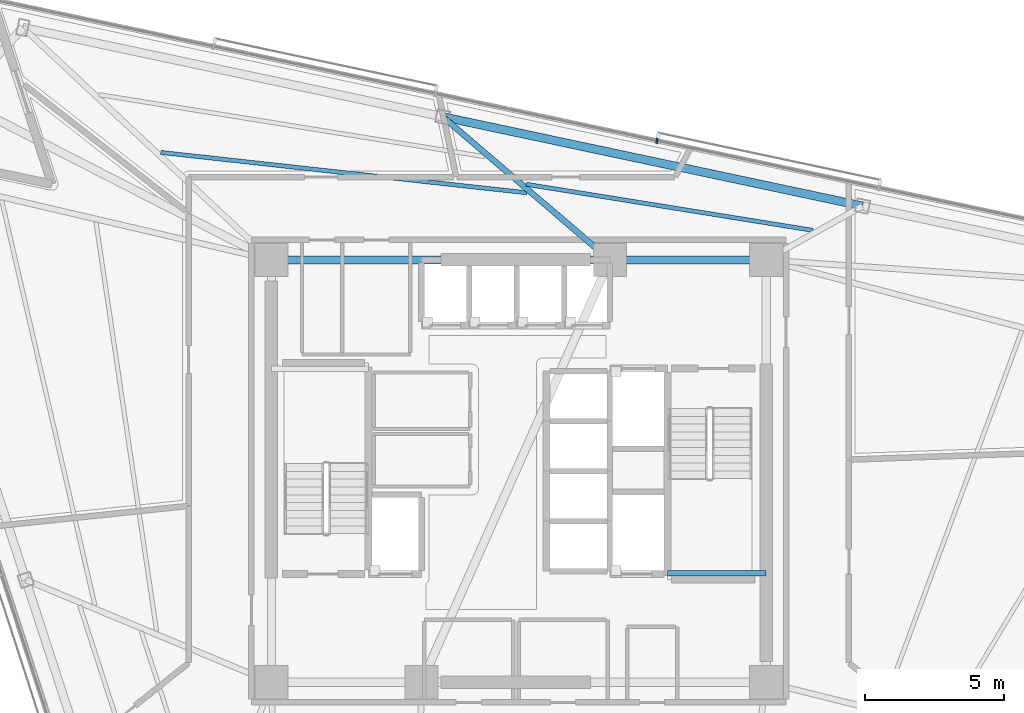
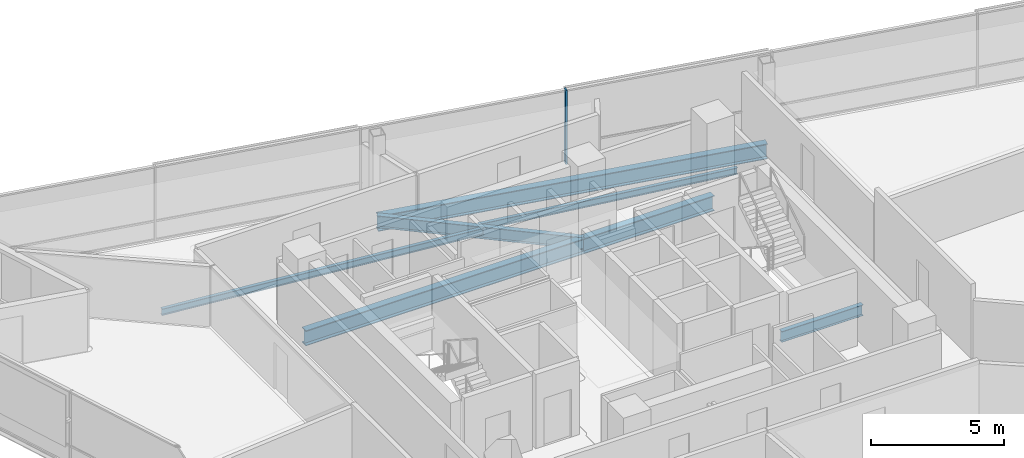
# One storey, part 6 of 17: 7 beams, 1 member, 1 element without a shape of its own.
"""IFC4 building model written with IfcOpenShell, lengths in metres."""

from ifc_helpers import new_model, si_unit, direction, frame, origin, origin_2d, place, context, subcontext, project, spatial, rectangle, i_section, extrude, material, layer, layer_set, material_profile, profile_set, type_object, element, aggregate, save


model = new_model("IFC4")

# Units and contexts
model_context = context("Model", 3, precision=1e-05, world=origin(), true_north=direction((0.0, 1.0)))
body_context = subcontext(model_context, "Body", "Model", "MODEL_VIEW")
ifc_project = project(units=[si_unit("LENGTHUNIT", "METRE"), si_unit("AREAUNIT", "SQUARE_METRE"), si_unit("VOLUMEUNIT", "CUBIC_METRE"), si_unit("PLANEANGLEUNIT", "RADIAN"), si_unit("MASSUNIT", "GRAM", prefix="KILO")], contexts=[model_context])

# Site, building, storey
site_placement = place(None, origin())
site = spatial("IfcSite", under=ifc_project, at=site_placement, CompositionType="ELEMENT")
building_placement = place(site_placement, origin())
building = spatial("IfcBuilding", under=site, at=building_placement, Name="Tharavind Bronze Gate", CompositionType="ELEMENT")
storey_placement = place(building_placement, frame((0.0, 0.0, 204.050048828125)))
storey = spatial("IfcBuildingStorey", under=building, at=storey_placement, Name="L52", CompositionType="ELEMENT", Elevation=204.050048828125)

# Curtain wall, member
ifc_material_1 = material(Name="Anodised Bronze Aluminium", Category="aluminium")
ifc_layer = layer(ifc_material_1, 0.219970703125)
ifc_layer_set = layer_set([ifc_layer], Name="Anodised Bronze Aluminium")
curtain_wall_type = type_object("IfcCurtainWallType", Name="UNITISED CURTAIN WALL MID OFFICE", PredefinedType="USERDEFINED", material=ifc_layer_set)
curtain_wall_placement = place(storey_placement, origin())
curtain_wall = element("IfcCurtainWall", 1, at=curtain_wall_placement, inside=storey, type_object=curtain_wall_type, Name="L52 unitised curtain wall mid office CW-L52-S3", ObjectType="UNITISED CURTAIN WALL", PredefinedType="USERDEFINED")
member_type = type_object("IfcMemberType", Name="CURTAIN WALL BRONZE MULLION 65X180", PredefinedType="MULLION", material=ifc_material_1)
member_placement = place(storey_placement, frame((4.97265625, 11.880615234375, 0.0), z_axis=(0.0, 0.0, 1.0), x_axis=(-0.978147600734, 0.207911690818, 0.0)))
member = element("IfcMember", 2, at=member_placement, type_object=member_type, Name="CW-L52-S3 mullion 4", PredefinedType="MULLION", context=body_context, shape_type="SweptSolid", body=[
    extrude(rectangle(XDim=0.06494140625, YDim=0.179931640625, at=origin_2d()), origin(), (0.0, 0.0, 1.0), 3.419921875),
])
aggregate(curtain_wall, [member])

# Beams
ifc_material_2 = material(Name="Steel S355", Category="steel")
ifc_material_profile_1 = material_profile(ifc_material_2, i_section(OverallWidth=0.199951171875, OverallDepth=0.5, WebThickness=0.01025390625, FlangeThickness=0.01611328125, at=origin_2d()), Name="IPE500")
ifc_profile_set_1 = profile_set([ifc_material_profile_1], Name="Steel S355")
beam_type_1 = type_object("IfcBeamType", Name="PRIMARY GIRDER IPE500", PredefinedType="USERDEFINED", material=ifc_profile_set_1)
beam_1_placement = place(storey_placement, frame((5.35009765625, -3.679931640625, 1.349853515625), z_axis=(1.0, 0.0, 0.0), x_axis=(0.0, 1.0, 0.0)))
element("IfcBeam", 3, at=beam_1_placement, inside=storey, type_object=beam_type_1, Name="L52 primary girder ipe500 BM-LD-ST2-L52-1", ObjectType="GIRDER", PredefinedType="USERDEFINED", context=body_context, shape_type="SweptSolid", body=[
    extrude(i_section(OverallWidth=0.199951171875, OverallDepth=0.5, WebThickness=0.01025390625, FlangeThickness=0.01611328125, at=origin_2d()), origin(), (0.0, 0.0, 1.0), 3.5498046875),
])
ifc_material_profile_2 = material_profile(ifc_material_2, i_section(OverallWidth=0.2099609375, OverallDepth=0.550048828125, WebThickness=0.010986328125, FlangeThickness=0.01708984375, at=origin_2d()), Name="IPE550")
ifc_profile_set_2 = profile_set([ifc_material_profile_2], Name="Steel S355")
beam_type_2 = type_object("IfcBeamType", Name="PRIMARY GIRDER IPE550", PredefinedType="USERDEFINED", material=ifc_profile_set_2)
beam_2_placement = place(storey_placement, frame((-2.737060546875, 12.752685546875, -0.455078125), z_axis=(0.75956325699, -0.650433439048, 0.0), x_axis=(0.650433439048, 0.75956325699, 0.0)))
element("IfcBeam", 4, at=beam_2_placement, inside=storey, type_object=beam_type_2, Name="L52 primary girder ipe550 BM-L52-RAD11", ObjectType="GIRDER", PredefinedType="USERDEFINED", context=body_context, shape_type="SweptSolid", body=[
    extrude(i_section(OverallWidth=0.2099609375, OverallDepth=0.550048828125, WebThickness=0.010986328125, FlangeThickness=0.01708984375, at=origin_2d()), origin(), (0.0, 0.0, 1.0), 7.921875),
])
ifc_material_profile_3 = material_profile(ifc_material_2, i_section(OverallWidth=0.300048828125, OverallDepth=0.699951171875, WebThickness=0.01708984375, FlangeThickness=0.031982421875, at=origin_2d()), Name="HE700B")
ifc_profile_set_3 = profile_set([ifc_material_profile_3], Name="Steel S355")
beam_type_3 = type_object("IfcBeamType", Name="RING GIRDER HE700B", PredefinedType="USERDEFINED", material=ifc_profile_set_3)
beam_3_placement = place(storey_placement, frame((8.89990234375, 7.60009765625, -0.530029296875), z_axis=(-1.0, 0.0, 0.0), x_axis=(0.0, -1.0, 0.0)))
element("IfcBeam", 5, at=beam_3_placement, inside=storey, type_object=beam_type_3, Name="L52 ring girder he700b BM-L52-CR4", ObjectType="GIRDER", PredefinedType="USERDEFINED", context=body_context, shape_type="SweptSolid", body=[
    extrude(i_section(OverallWidth=0.300048828125, OverallDepth=0.699951171875, WebThickness=0.01708984375, FlangeThickness=0.031982421875, at=origin_2d()), origin(), (0.0, 0.0, 1.0), 5.619873046875),
])
beam_4_placement = place(storey_placement, frame((3.280029296875, 7.60009765625, -0.530029296875), z_axis=(-1.0, 0.0, 0.0), x_axis=(0.0, -1.0, 0.0)))
element("IfcBeam", 6, at=beam_4_placement, inside=storey, type_object=beam_type_3, Name="L52 ring girder he700b BM-L52-CR5", ObjectType="GIRDER", PredefinedType="USERDEFINED", context=body_context, shape_type="SweptSolid", body=[
    extrude(i_section(OverallWidth=0.300048828125, OverallDepth=0.699951171875, WebThickness=0.01708984375, FlangeThickness=0.031982421875, at=origin_2d()), origin(), (0.0, 0.0, 1.0), 12.179931640625),
])
beam_5_placement = place(storey_placement, frame((12.370849609375, 9.54150390625, -0.530029296875), z_axis=(-0.978148967388, 0.207905261111, 0.0), x_axis=(-0.207905261111, -0.978148967388, 0.0)))
element("IfcBeam", 7, at=beam_5_placement, inside=storey, type_object=beam_type_3, Name="L52 ring girder he700b BM-L52-PRG10", ObjectType="GIRDER", PredefinedType="USERDEFINED", context=body_context, shape_type="SweptSolid", body=[
    extrude(i_section(OverallWidth=0.300048828125, OverallDepth=0.699951171875, WebThickness=0.01708984375, FlangeThickness=0.031982421875, at=origin_2d()), origin(), (0.0, 0.0, 1.0), 15.4453125),
])
ifc_material_profile_4 = material_profile(ifc_material_2, i_section(OverallWidth=0.14990234375, OverallDepth=0.300048828125, WebThickness=0.007080078125, FlangeThickness=0.0107421875, at=origin_2d()), Name="IPE300")
ifc_profile_set_4 = profile_set([ifc_material_profile_4], Name="Steel S355")
beam_type_4 = type_object("IfcBeamType", Name="SECONDARY FLOOR JOIST IPE300", PredefinedType="JOIST", material=ifc_profile_set_4)
beam_6_placement = place(storey_placement, frame((10.585693359375, 8.666015625, -0.330078125), z_axis=(-0.987341344636, 0.158609801627, 0.0), x_axis=(-0.158609801627, -0.987341344636, 0.0)))
element("IfcBeam", 8, at=beam_6_placement, inside=storey, type_object=beam_type_4, Name="L52 secondary floor joist ipe300 BM-L52-JSTA10", PredefinedType="JOIST", context=body_context, shape_type="SweptSolid", body=[
    extrude(i_section(OverallWidth=0.14990234375, OverallDepth=0.300048828125, WebThickness=0.007080078125, FlangeThickness=0.0107421875, at=origin_2d()), origin(), (0.0, 0.0, 1.0), 10.45458984375),
])
beam_7_placement = place(storey_placement, frame((0.292724609375, 10.016845703125, -0.330078125), z_axis=(-0.993975491992, 0.109602560737, 0.0), x_axis=(-0.109602560737, -0.993975491992, 0.0)))
element("IfcBeam", 9, at=beam_7_placement, inside=storey, type_object=beam_type_4, Name="L52 secondary floor joist ipe300 BM-L52-JSTA11", PredefinedType="JOIST", context=body_context, shape_type="SweptSolid", body=[
    extrude(i_section(OverallWidth=0.14990234375, OverallDepth=0.300048828125, WebThickness=0.007080078125, FlangeThickness=0.0107421875, at=origin_2d()), origin(), (0.0, 0.0, 1.0), 13.253662109375),
])

save(model, "model.ifc")
